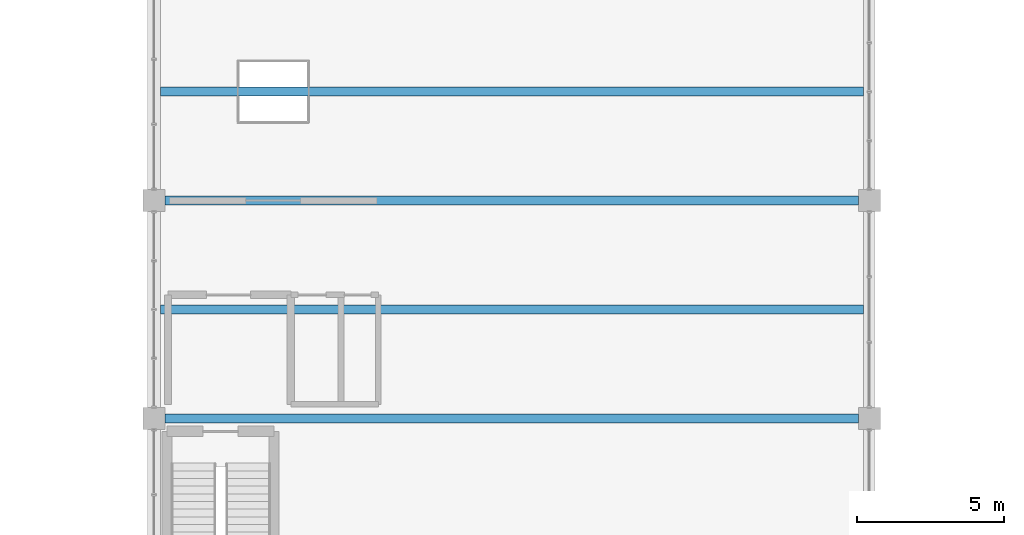
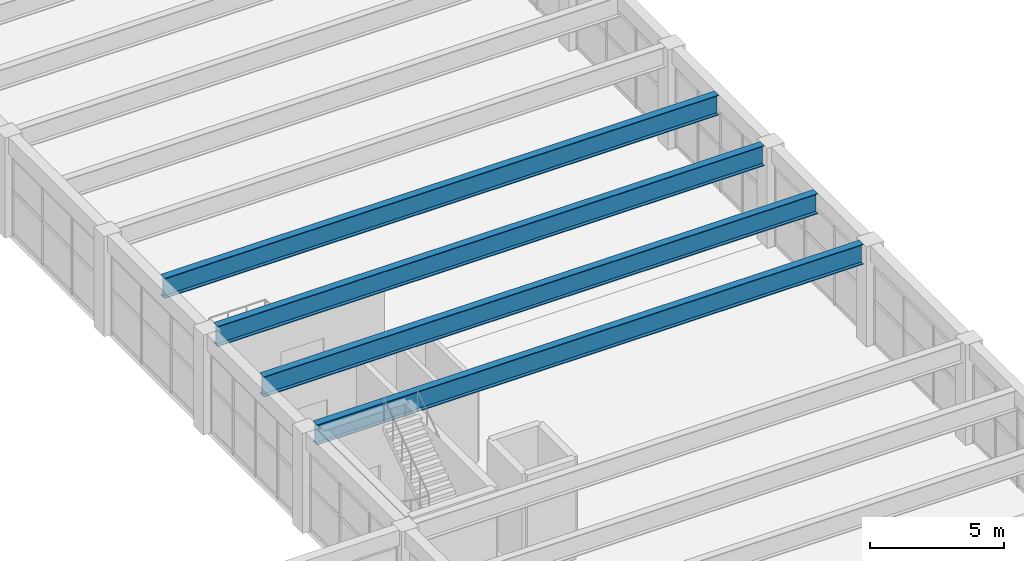
# One storey, part 86 of 161: 4 beams.
"""IFC4 building model written with IfcOpenShell, lengths in metres."""

from ifc_helpers import new_model, si_unit, direction, frame, origin, origin_2d, place, context, subcontext, project, spatial, i_section, extrude, material, material_profile, profile_set, type_object, element, save


model = new_model("IFC4")

# Units and contexts
model_context = context("Model", 3, precision=1e-05, world=origin(), true_north=direction((0.0, 1.0)))
body_context = subcontext(model_context, "Body", "Model", "MODEL_VIEW")
ifc_project = project(units=[si_unit("LENGTHUNIT", "METRE"), si_unit("AREAUNIT", "SQUARE_METRE"), si_unit("VOLUMEUNIT", "CUBIC_METRE"), si_unit("PLANEANGLEUNIT", "RADIAN"), si_unit("MASSUNIT", "GRAM", prefix="KILO")], contexts=[model_context])

# Site, building, storey
site_placement = place(None, origin())
site = spatial("IfcSite", under=ifc_project, at=site_placement, CompositionType="ELEMENT")
building_placement = place(site_placement, origin())
building = spatial("IfcBuilding", under=site, at=building_placement, Name="Cimatlan Art Gallery", CompositionType="ELEMENT")
storey_placement = place(building_placement, frame((0.0, 0.0, 5.39990234375)))
storey = spatial("IfcBuildingStorey", under=building, at=storey_placement, Name="L01", CompositionType="ELEMENT", Elevation=5.39990234375)

# Beams
ifc_material = material(Name="Steel ASTM A992 Grade 50", Category="steel")
ifc_material_profile = material_profile(ifc_material, i_section(OverallWidth=0.306884765625, OverallDepth=0.923095703125, WebThickness=0.018310546875, FlangeThickness=0.030029296875, at=origin_2d()), Name="W36X182")
ifc_profile_set = profile_set([ifc_material_profile], Name="Steel ASTM A992 Grade 50")
beam_type = type_object("IfcBeamType", Name="BM-SPAN24-L02", PredefinedType="BEAM", material=ifc_profile_set)
beam_1_placement = place(storey_placement, frame((75.27490234375, 68.300048828125, 4.0986328125), z_axis=(1.0, 0.0, 0.0), x_axis=(0.0, 1.0, 0.0)))
element("IfcBeam", 1, at=beam_1_placement, inside=storey, type_object=beam_type, Name="BM-SP24-L01-09", PredefinedType="BEAM", context=body_context, shape_type="SweptSolid", body=[
    extrude(i_section(OverallWidth=0.306884765625, OverallDepth=0.923095703125, WebThickness=0.018310546875, FlangeThickness=0.030029296875, at=origin_2d()), origin(), (0.0, 0.0, 1.0), 23.550048828125),
])
beam_2_placement = place(storey_placement, frame((75.125, 72.0, 4.0986328125), z_axis=(1.0, 0.0, 0.0), x_axis=(0.0, 1.0, 0.0)))
element("IfcBeam", 2, at=beam_2_placement, inside=storey, type_object=beam_type, Name="BM-SP24M-L01-09", PredefinedType="BEAM", context=body_context, shape_type="SweptSolid", body=[
    extrude(i_section(OverallWidth=0.306884765625, OverallDepth=0.923095703125, WebThickness=0.018310546875, FlangeThickness=0.030029296875, at=origin_2d()), origin(), (0.0, 0.0, 1.0), 23.875),
])
beam_3_placement = place(storey_placement, frame((75.27490234375, 75.699951171875, 4.0986328125), z_axis=(1.0, 0.0, 0.0), x_axis=(0.0, 1.0, 0.0)))
element("IfcBeam", 3, at=beam_3_placement, inside=storey, type_object=beam_type, Name="BM-SP24-L01-10", PredefinedType="BEAM", context=body_context, shape_type="SweptSolid", body=[
    extrude(i_section(OverallWidth=0.306884765625, OverallDepth=0.923095703125, WebThickness=0.018310546875, FlangeThickness=0.030029296875, at=origin_2d()), origin(), (0.0, 0.0, 1.0), 23.550048828125),
])
beam_4_placement = place(storey_placement, frame((75.125, 79.39990234375, 4.0986328125), z_axis=(1.0, 0.0, 0.0), x_axis=(0.0, 1.0, 0.0)))
element("IfcBeam", 4, at=beam_4_placement, inside=storey, type_object=beam_type, Name="BM-SP24M-L01-10", PredefinedType="BEAM", context=body_context, shape_type="SweptSolid", body=[
    extrude(i_section(OverallWidth=0.306884765625, OverallDepth=0.923095703125, WebThickness=0.018310546875, FlangeThickness=0.030029296875, at=origin_2d()), origin(), (0.0, 0.0, 1.0), 23.875),
])

save(model, "model.ifc")
